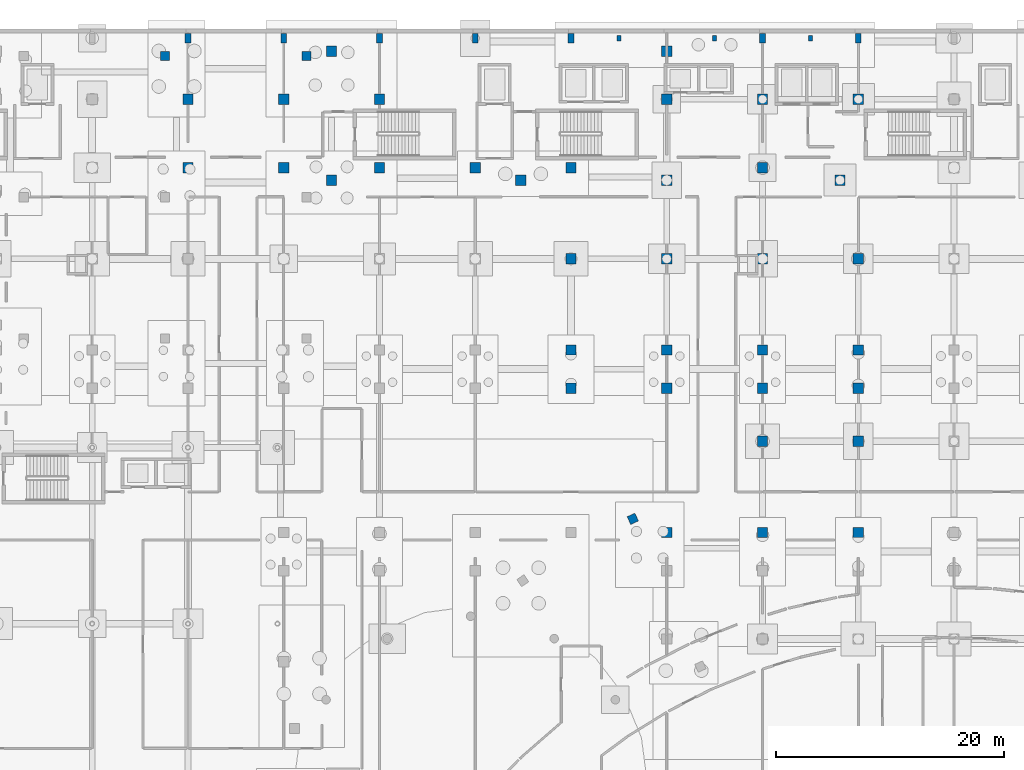
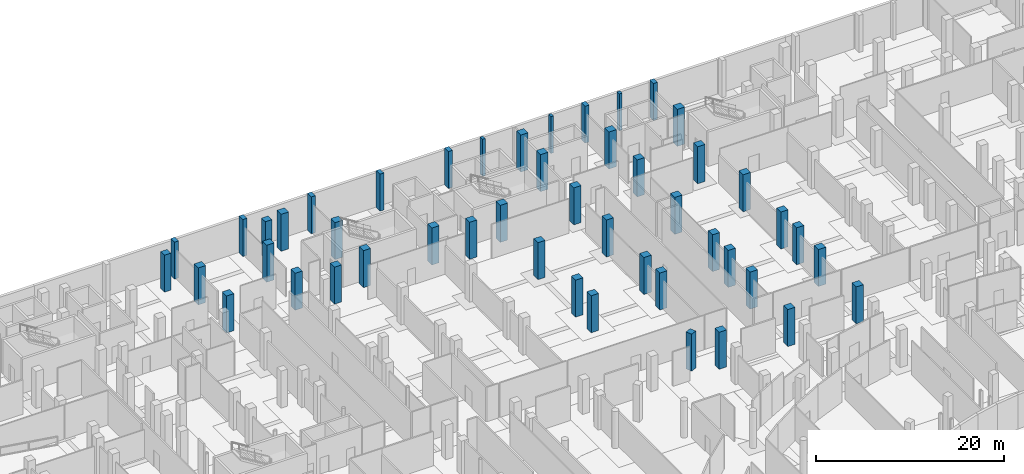
# One storey, part 21 of 45: 48 columns.
"""IFC4 building model written with IfcOpenShell, lengths in metres."""

from ifc_helpers import new_model, si_unit, direction, frame, origin, origin_2d, place, context, subcontext, project, spatial, rectangle, extrude, material, material_profile, profile_set, type_object, element, save


model = new_model("IFC4")

# Units and contexts
model_context = context("Model", 3, precision=1e-05, world=origin(), true_north=direction((0.0, 1.0)))
body_context = subcontext(model_context, "Body", "Model", "MODEL_VIEW")
ifc_project = project(units=[si_unit("LENGTHUNIT", "METRE"), si_unit("AREAUNIT", "SQUARE_METRE"), si_unit("VOLUMEUNIT", "CUBIC_METRE"), si_unit("PLANEANGLEUNIT", "RADIAN"), si_unit("MASSUNIT", "GRAM", prefix="KILO")], contexts=[model_context])

# Site, building, storey
site_placement = place(None, origin())
site = spatial("IfcSite", under=ifc_project, at=site_placement, CompositionType="ELEMENT")
building_placement = place(site_placement, origin())
building = spatial("IfcBuilding", under=site, at=building_placement, Name="Selatvlak General Hospital", CompositionType="ELEMENT")
storey_placement = place(building_placement, frame((0.0, 0.0, -4.800048828125)))
storey = spatial("IfcBuildingStorey", under=building, at=storey_placement, Name="B1", CompositionType="ELEMENT", Elevation=-4.800048828125)

# Columns
ifc_material_1 = material(Name="Concrete C40/50", Category="concrete")
ifc_material_profile_1 = material_profile(ifc_material_1, rectangle(XDim=0.35009765625, YDim=0.5, at=origin_2d()), Name="RC-PIL 500x350")
ifc_profile_set_1 = profile_set([ifc_material_profile_1], Name="Concrete C40/50")
column_type_1 = type_object("IfcColumnType", Name="COL-PIL50", PredefinedType="PILASTER", material=ifc_profile_set_1)
for number, where, z_axis, x_axis, name in (
    (1, (111.0, 119.35009765625, 0.0), (0.0, 0.0, 1.0), (1.0, 0.0, 0.0), "Inboard core pilaster 3 on B1"),
    (2, (119.39990234375, 119.35009765625, 0.0), (0.0, 0.0, 1.0), (1.0, 0.0, 0.0), "Inboard core pilaster 4 on B1"),
    (3, (127.800048828125, 119.35009765625, 0.0), (0.0, 0.0, 1.0), (1.0, 0.0, 0.0), "Inboard core pilaster 5 on B1"),
):
    element("IfcColumn", number, at=place(storey_placement, frame(where, z_axis=z_axis, x_axis=x_axis)), inside=storey, type_object=column_type_1, Name=name, PredefinedType="PILASTER", context=body_context, shape_type="SweptSolid", body=[
        extrude(rectangle(XDim=0.35009765625, YDim=0.5, at=origin_2d()), origin(), (0.0, 0.0, 1.0), 4.800048828125),
    ])
ifc_material_2 = material(Name="Concrete C50/60", Category="concrete")
ifc_material_profile_2 = material_profile(ifc_material_2, rectangle(XDim=0.75, YDim=0.75, at=origin_2d()), Name="RC-COL 750x750")
ifc_profile_set_2 = profile_set([ifc_material_profile_2], Name="Concrete C50/60")
column_type_2 = type_object("IfcColumnType", Name="COL-RC75", PredefinedType="COLUMN", material=ifc_profile_set_2)
column_placement = place(storey_placement, frame((112.221923828125, 77.195068359375, 0.0), z_axis=(0.0, 0.0, 1.0), x_axis=(-0.416201444857, 0.909272432937, 0.0)))
element("IfcColumn", 4, at=column_placement, inside=storey, type_object=column_type_2, Name="Column 342 on B1", PredefinedType="COLUMN", context=body_context, shape_type="SweptSolid", body=[
    extrude(rectangle(XDim=0.75, YDim=0.75, at=origin_2d()), origin(), (0.0, 0.0, 1.0), 4.800048828125),
])
ifc_material_profile_3 = material_profile(ifc_material_2, rectangle(XDim=0.800048828125, YDim=0.800048828125, at=origin_2d()), Name="RC-COL 800x800")
ifc_profile_set_3 = profile_set([ifc_material_profile_3], Name="Concrete C50/60")
column_type_3 = type_object("IfcColumnType", Name="COL-RC80", PredefinedType="COLUMN", material=ifc_profile_set_3)
for number, where, z_axis, x_axis, name in (
    (5, (71.199951171875, 117.800048828125, 0.0), (0.0, 0.0, 1.0), (1.0, 0.0, 0.0), "Column 042 on B1"),
    (6, (83.60009765625, 117.800048828125, 0.0), (0.0, 0.0, 1.0), (1.0, 0.0, 0.0), "Column 045 on B1"),
):
    element("IfcColumn", number, at=place(storey_placement, frame(where, z_axis=z_axis, x_axis=x_axis)), inside=storey, type_object=column_type_3, Name=name, PredefinedType="COLUMN", context=body_context, shape_type="SweptSolid", body=[
        extrude(rectangle(XDim=0.800048828125, YDim=0.800048828125, at=origin_2d()), origin(), (0.0, 0.0, 1.0), 4.800048828125),
    ])
ifc_material_profile_4 = material_profile(ifc_material_2, rectangle(XDim=0.5, YDim=0.800048828125, at=origin_2d()), Name="RC-COL 800x500")
ifc_profile_set_4 = profile_set([ifc_material_profile_4], Name="Concrete C50/60")
column_type_4 = type_object("IfcColumnType", Name="COL-RC85", PredefinedType="COLUMN", material=ifc_profile_set_4)
for number, where, z_axis, x_axis, name in (
    (7, (73.199951171875, 119.35009765625, 0.0), (0.0, 0.0, 1.0), (1.0, 0.0, 0.0), "Column 197 on B1"),
    (8, (81.60009765625, 119.35009765625, 0.0), (0.0, 0.0, 1.0), (1.0, 0.0, 0.0), "Column 206 on B1"),
    (9, (90.0, 119.35009765625, 0.0), (0.0, 0.0, 1.0), (1.0, 0.0, 0.0), "Column 215 on B1"),
    (10, (98.39990234375, 119.35009765625, 0.0), (0.0, 0.0, 1.0), (1.0, 0.0, 0.0), "Column 222 on B1"),
    (11, (106.800048828125, 119.35009765625, 0.0), (0.0, 0.0, 1.0), (1.0, 0.0, 0.0), "Column 228 on B1"),
    (12, (123.60009765625, 119.35009765625, 0.0), (0.0, 0.0, 1.0), (1.0, 0.0, 0.0), "Column 245 on B1"),
    (13, (132.0, 119.35009765625, 0.0), (0.0, 0.0, 1.0), (1.0, 0.0, 0.0), "Column 254 on B1"),
):
    element("IfcColumn", number, at=place(storey_placement, frame(where, z_axis=z_axis, x_axis=x_axis)), inside=storey, type_object=column_type_4, Name=name, PredefinedType="COLUMN", context=body_context, shape_type="SweptSolid", body=[
        extrude(rectangle(XDim=0.5, YDim=0.800048828125, at=origin_2d()), origin(), (0.0, 0.0, 1.0), 4.800048828125),
    ])
ifc_material_profile_5 = material_profile(ifc_material_2, rectangle(XDim=0.89990234375, YDim=0.89990234375, at=origin_2d()), Name="RC-COL 900x900")
ifc_profile_set_5 = profile_set([ifc_material_profile_5], Name="Concrete C50/60")
column_type_5 = type_object("IfcColumnType", Name="COL-RC90", PredefinedType="COLUMN", material=ifc_profile_set_5)
for number, where, z_axis, x_axis, name in (
    (14, (85.800048828125, 106.89990234375, 0.0), (0.0, 0.0, 1.0), (1.0, 0.0, 0.0), "Column 052 on B1"),
    (15, (102.39990234375, 106.89990234375, 0.0), (0.0, 0.0, 1.0), (1.0, 0.0, 0.0), "Column 053 on B1"),
    (16, (115.199951171875, 106.89990234375, 0.0), (0.0, 0.0, 1.0), (1.0, 0.0, 0.0), "Column 054 on B1"),
    (17, (130.39990234375, 106.89990234375, 0.0), (0.0, 0.0, 1.0), (1.0, 0.0, 0.0), "Column 055 on B1"),
    (18, (85.800048828125, 118.199951171875, 0.0), (0.0, 0.0, 1.0), (1.0, 0.0, 0.0), "Column 057 on B1"),
    (19, (115.199951171875, 118.199951171875, 0.0), (0.0, 0.0, 1.0), (1.0, 0.0, 0.0), "Column 058 on B1"),
    (20, (73.199951171875, 108.0, 0.0), (0.0, 0.0, 1.0), (1.0, 0.0, 0.0), "Column 195 on B1"),
    (21, (73.199951171875, 114.0, 0.0), (0.0, 0.0, 1.0), (1.0, 0.0, 0.0), "Column 196 on B1"),
    (22, (81.60009765625, 108.0, 0.0), (0.0, 0.0, 1.0), (1.0, 0.0, 0.0), "Column 204 on B1"),
    (23, (81.60009765625, 114.0, 0.0), (0.0, 0.0, 1.0), (1.0, 0.0, 0.0), "Column 205 on B1"),
    (24, (90.0, 108.0, 0.0), (0.0, 0.0, 1.0), (1.0, 0.0, 0.0), "Column 213 on B1"),
    (25, (90.0, 114.0, 0.0), (0.0, 0.0, 1.0), (1.0, 0.0, 0.0), "Column 214 on B1"),
    (26, (98.39990234375, 108.0, 0.0), (0.0, 0.0, 1.0), (1.0, 0.0, 0.0), "Column 221 on B1"),
    (27, (106.800048828125, 88.64990234375, 0.0), (0.0, 0.0, 1.0), (1.0, 0.0, 0.0), "Column 224 on B1"),
    (28, (106.800048828125, 92.0, 0.0), (0.0, 0.0, 1.0), (1.0, 0.0, 0.0), "Column 225 on B1"),
    (29, (106.800048828125, 100.0, 0.0), (0.0, 0.0, 1.0), (1.0, 0.0, 0.0), "Column 226 on B1"),
    (30, (106.800048828125, 108.0, 0.0), (0.0, 0.0, 1.0), (1.0, 0.0, 0.0), "Column 227 on B1"),
    (31, (115.199951171875, 76.0, 0.0), (0.0, 0.0, 1.0), (1.0, 0.0, 0.0), "Column 231 on B1"),
    (32, (115.199951171875, 88.64990234375, 0.0), (0.0, 0.0, 1.0), (1.0, 0.0, 0.0), "Column 232 on B1"),
    (33, (115.199951171875, 92.0, 0.0), (0.0, 0.0, 1.0), (1.0, 0.0, 0.0), "Column 233 on B1"),
    (34, (115.199951171875, 100.0, 0.0), (0.0, 0.0, 1.0), (1.0, 0.0, 0.0), "Column 234 on B1"),
    (35, (115.199951171875, 114.0, 0.0), (0.0, 0.0, 1.0), (1.0, 0.0, 0.0), "Column 235 on B1"),
    (36, (123.60009765625, 76.0, 0.0), (0.0, 0.0, 1.0), (1.0, 0.0, 0.0), "Column 238 on B1"),
    (37, (123.60009765625, 84.0, 0.0), (0.0, 0.0, 1.0), (1.0, 0.0, 0.0), "Column 239 on B1"),
    (38, (123.60009765625, 88.64990234375, 0.0), (0.0, 0.0, 1.0), (1.0, 0.0, 0.0), "Column 240 on B1"),
    (39, (123.60009765625, 92.0, 0.0), (0.0, 0.0, 1.0), (1.0, 0.0, 0.0), "Column 241 on B1"),
    (40, (123.60009765625, 100.0, 0.0), (0.0, 0.0, 1.0), (1.0, 0.0, 0.0), "Column 242 on B1"),
    (41, (123.60009765625, 108.0, 0.0), (0.0, 0.0, 1.0), (1.0, 0.0, 0.0), "Column 243 on B1"),
    (42, (123.60009765625, 114.0, 0.0), (0.0, 0.0, 1.0), (1.0, 0.0, 0.0), "Column 244 on B1"),
    (43, (132.0, 76.0, 0.0), (0.0, 0.0, 1.0), (1.0, 0.0, 0.0), "Column 248 on B1"),
    (44, (132.0, 84.0, 0.0), (0.0, 0.0, 1.0), (1.0, 0.0, 0.0), "Column 249 on B1"),
    (45, (132.0, 88.64990234375, 0.0), (0.0, 0.0, 1.0), (1.0, 0.0, 0.0), "Column 250 on B1"),
    (46, (132.0, 92.0, 0.0), (0.0, 0.0, 1.0), (1.0, 0.0, 0.0), "Column 251 on B1"),
    (47, (132.0, 100.0, 0.0), (0.0, 0.0, 1.0), (1.0, 0.0, 0.0), "Column 252 on B1"),
    (48, (132.0, 114.0, 0.0), (0.0, 0.0, 1.0), (1.0, 0.0, 0.0), "Column 253 on B1"),
):
    element("IfcColumn", number, at=place(storey_placement, frame(where, z_axis=z_axis, x_axis=x_axis)), inside=storey, type_object=column_type_5, Name=name, PredefinedType="COLUMN", context=body_context, shape_type="SweptSolid", body=[
        extrude(rectangle(XDim=0.89990234375, YDim=0.89990234375, at=origin_2d()), origin(), (0.0, 0.0, 1.0), 4.800048828125),
    ])

save(model, "model.ifc")
